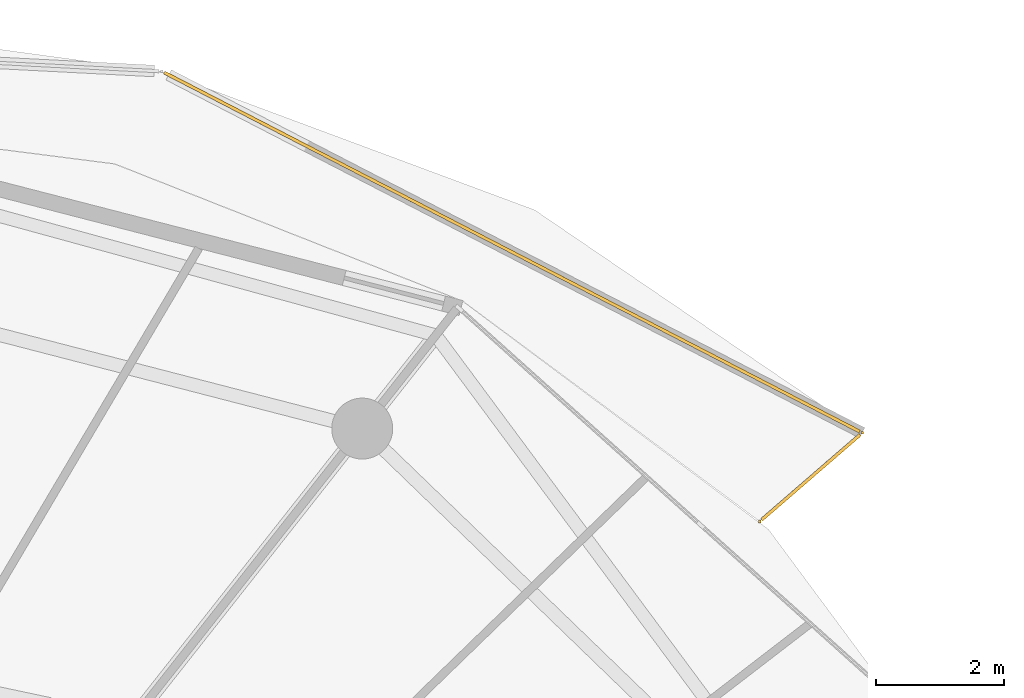
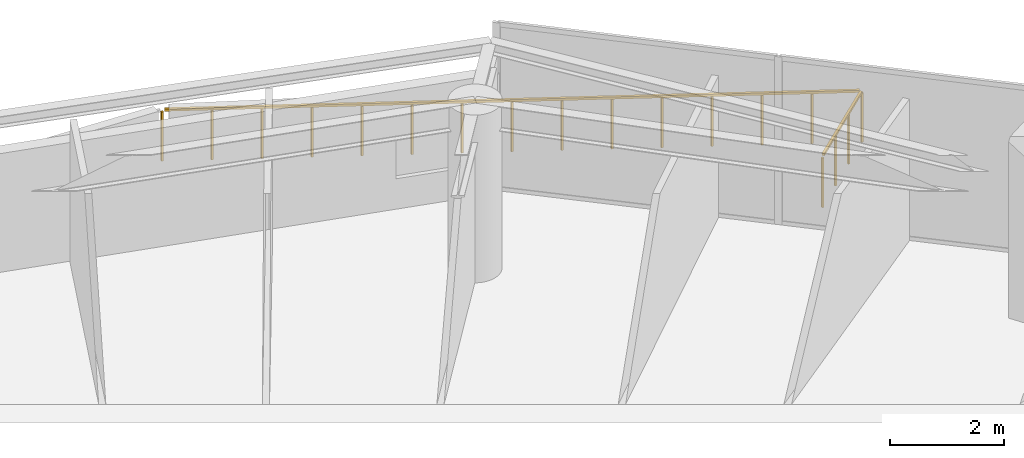
# One storey, part 31 of 31: 2 railings.
"""IFC4 building model written with IfcOpenShell, lengths in metres."""

from ifc_helpers import new_model, si_unit, direction, frame, origin, origin_2d, place, context, subcontext, project, spatial, rectangle, extrude, material, type_object, element, save


model = new_model("IFC4")

# Units and contexts
model_context = context("Model", 3, precision=1e-05, world=origin(), true_north=direction((0.0, 1.0)))
body_context = subcontext(model_context, "Body", "Model", "MODEL_VIEW")
ifc_project = project(units=[si_unit("LENGTHUNIT", "METRE"), si_unit("AREAUNIT", "SQUARE_METRE"), si_unit("VOLUMEUNIT", "CUBIC_METRE"), si_unit("PLANEANGLEUNIT", "RADIAN"), si_unit("MASSUNIT", "GRAM", prefix="KILO")], contexts=[model_context])

# Site, building, storey
site_placement = place(None, origin())
site = spatial("IfcSite", under=ifc_project, at=site_placement, CompositionType="ELEMENT")
building_placement = place(site_placement, origin())
building = spatial("IfcBuilding", under=site, at=building_placement, Name="Kazma Halo Residences", CompositionType="ELEMENT")
storey_placement = place(building_placement, frame((0.0, 0.0, 271.35009765625)))
storey = spatial("IfcBuildingStorey", under=building, at=storey_placement, Name="L68", CompositionType="ELEMENT", Elevation=271.35009765625)

# Railings
ifc_material = material(Name="Aluminium AW-6063 T6 Brushed Cap Rail", Category="aluminium")
railing_type = type_object("IfcRailingType", Name="RLG-BAL-CAP-1120", PredefinedType="BALUSTRADE", material=ifc_material)
railing_1_placement = place(storey_placement, frame((71.0400390625, 61.9228515625, 0.0)))
element("IfcRailing", 1, at=railing_1_placement, inside=storey, type_object=railing_type, Name="L68 NE wave balcony guard 1", PredefinedType="BALUSTRADE", context=body_context, shape_type="SweptSolid", body=[
    extrude(rectangle(XDim=0.050048828125, YDim=0.050048828125, at=origin_2d()), frame((0.0322265625, 0.02783203125, 1.09521484375), z_axis=(0.756474494399, 0.654023194791, 0.0), x_axis=(-0.654023194791, 0.756474494399, 0.0)), (0.0, 0.0, 1.0), 2.0263671875),
    extrude(rectangle(XDim=0.0400390625, YDim=0.0400390625, at=origin_2d()), origin(), (0.0, 0.0, 1.0), 1.05810546875),
    extrude(rectangle(XDim=0.0400390625, YDim=0.0400390625, at=origin_2d()), frame((0.532470703125, 0.460205078125, 0.0)), (0.0, 0.0, 1.0), 1.05810546875),
    extrude(rectangle(XDim=0.0400390625, YDim=0.0400390625, at=origin_2d()), frame((1.064697265625, 0.920654296875, 0.0)), (0.0, 0.0, 1.0), 1.05810546875),
    extrude(rectangle(XDim=0.0400390625, YDim=0.0400390625, at=origin_2d()), frame((1.59716796875, 1.380859375, 0.0)), (0.0, 0.0, 1.0), 1.05810546875),
])
railing_2_placement = place(storey_placement, frame((72.63720703125, 63.3037109375, 0.0)))
element("IfcRailing", 2, at=railing_2_placement, inside=storey, type_object=railing_type, Name="L68 NE wave balcony guard 2", PredefinedType="BALUSTRADE", context=body_context, shape_type="SweptSolid", body=[
    extrude(rectangle(XDim=0.050048828125, YDim=0.050048828125, at=origin_2d()), frame((-0.037841796875, 0.01953125, 1.09521484375), z_axis=(-0.888587460341, 0.458707232693, 0.0), x_axis=(-0.458707232693, -0.888587460341, 0.0)), (0.0, 0.0, 1.0), 12.1953125),
    extrude(rectangle(XDim=0.0400390625, YDim=0.0400390625, at=origin_2d()), origin(), (0.0, 0.0, 1.0), 1.05810546875),
    extrude(rectangle(XDim=0.0400390625, YDim=0.0400390625, at=origin_2d()), frame((-0.779541015625, 0.40234375, 0.0)), (0.0, 0.0, 1.0), 1.05810546875),
    extrude(rectangle(XDim=0.0400390625, YDim=0.0400390625, at=origin_2d()), frame((-1.558837890625, 0.8046875, 0.0)), (0.0, 0.0, 1.0), 1.05810546875),
    extrude(rectangle(XDim=0.0400390625, YDim=0.0400390625, at=origin_2d()), frame((-2.33837890625, 1.20703125, 0.0)), (0.0, 0.0, 1.0), 1.05810546875),
    extrude(rectangle(XDim=0.0400390625, YDim=0.0400390625, at=origin_2d()), frame((-3.11767578125, 1.609375, 0.0)), (0.0, 0.0, 1.0), 1.05810546875),
    extrude(rectangle(XDim=0.0400390625, YDim=0.0400390625, at=origin_2d()), frame((-3.897216796875, 2.01171875, 0.0)), (0.0, 0.0, 1.0), 1.05810546875),
    extrude(rectangle(XDim=0.0400390625, YDim=0.0400390625, at=origin_2d()), frame((-4.676513671875, 2.4140625, 0.0)), (0.0, 0.0, 1.0), 1.05810546875),
    extrude(rectangle(XDim=0.0400390625, YDim=0.0400390625, at=origin_2d()), frame((-5.4560546875, 2.81640625, 0.0)), (0.0, 0.0, 1.0), 1.05810546875),
    extrude(rectangle(XDim=0.0400390625, YDim=0.0400390625, at=origin_2d()), frame((-6.235595703125, 3.218994140625, 0.0)), (0.0, 0.0, 1.0), 1.05810546875),
    extrude(rectangle(XDim=0.0400390625, YDim=0.0400390625, at=origin_2d()), frame((-7.014892578125, 3.621337890625, 0.0)), (0.0, 0.0, 1.0), 1.05810546875),
    extrude(rectangle(XDim=0.0400390625, YDim=0.0400390625, at=origin_2d()), frame((-7.79443359375, 4.023681640625, 0.0)), (0.0, 0.0, 1.0), 1.05810546875),
    extrude(rectangle(XDim=0.0400390625, YDim=0.0400390625, at=origin_2d()), frame((-8.57373046875, 4.426025390625, 0.0)), (0.0, 0.0, 1.0), 1.05810546875),
    extrude(rectangle(XDim=0.0400390625, YDim=0.0400390625, at=origin_2d()), frame((-9.353271484375, 4.828369140625, 0.0)), (0.0, 0.0, 1.0), 1.05810546875),
    extrude(rectangle(XDim=0.0400390625, YDim=0.0400390625, at=origin_2d()), frame((-10.132568359375, 5.230712890625, 0.0)), (0.0, 0.0, 1.0), 1.05810546875),
    extrude(rectangle(XDim=0.0400390625, YDim=0.0400390625, at=origin_2d()), frame((-10.912109375, 5.633056640625, 0.0)), (0.0, 0.0, 1.0), 1.05810546875),
])

save(model, "model.ifc")
